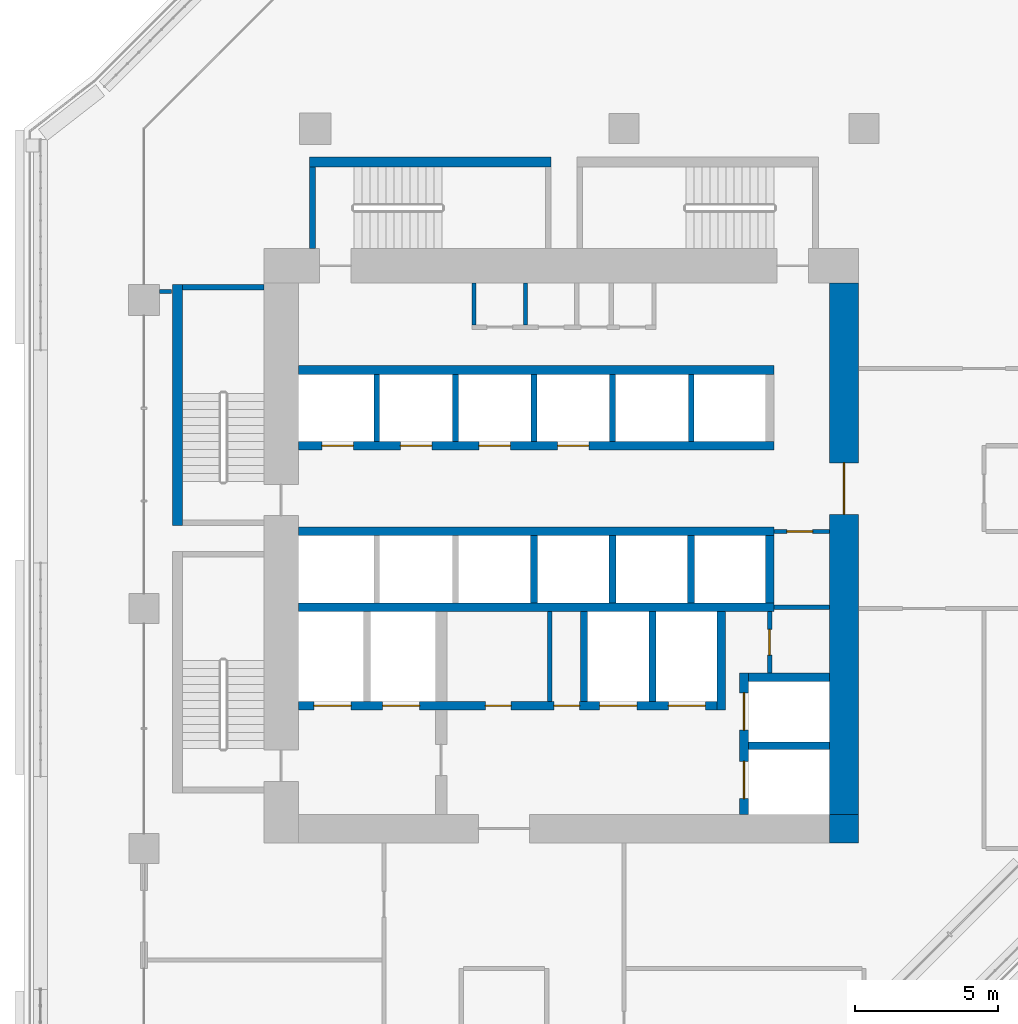
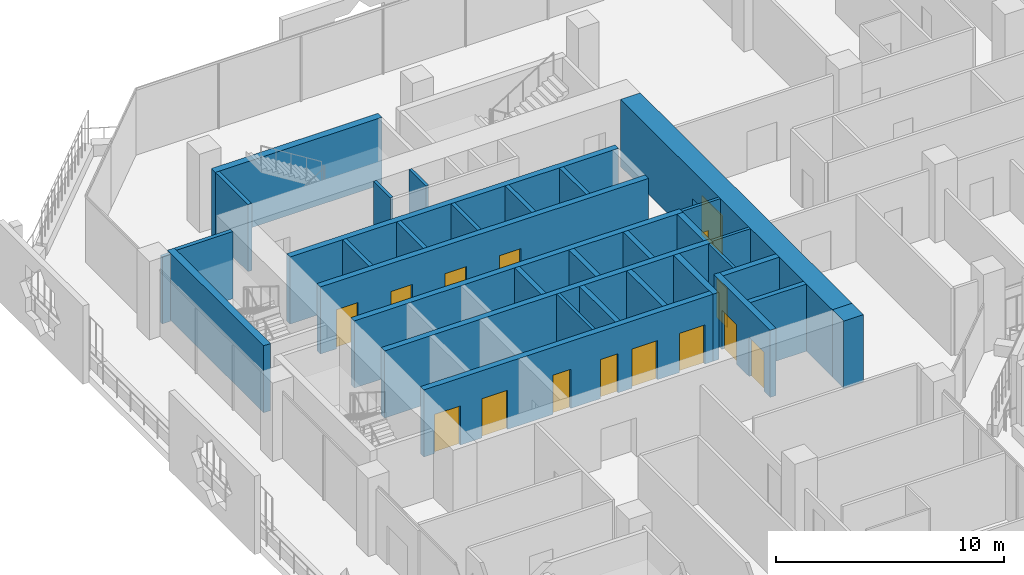
# One storey, part 15 of 27: 33 walls, 15 doors, 15 openings.
"""IFC4 building model written with IfcOpenShell, lengths in metres."""

from ifc_helpers import new_model, si_unit, direction, frame, frame_2d, origin, place, context, subcontext, project, spatial, rectangle, extrude, material, layer, layer_set, type_object, element, fill, save


model = new_model("IFC4")

# Units and contexts
model_context = context("Model", 3, precision=1e-05, world=origin(), true_north=direction((0.0, 1.0)))
body_context = subcontext(model_context, "Body", "Model", "MODEL_VIEW")
ifc_project = project(units=[si_unit("LENGTHUNIT", "METRE"), si_unit("AREAUNIT", "SQUARE_METRE"), si_unit("VOLUMEUNIT", "CUBIC_METRE"), si_unit("PLANEANGLEUNIT", "RADIAN"), si_unit("MASSUNIT", "GRAM", prefix="KILO")], contexts=[model_context])

# Site, building, storey
site_placement = place(None, origin())
site = spatial("IfcSite", under=ifc_project, at=site_placement, CompositionType="ELEMENT")
building_placement = place(site_placement, origin())
building = spatial("IfcBuilding", under=site, at=building_placement, Name="Kawkab Arch Medical Tower", CompositionType="ELEMENT")
storey_placement = place(building_placement, frame((0.0, 0.0, 115.60009765625)))
storey = spatial("IfcBuildingStorey", under=building, at=storey_placement, Name="L26", CompositionType="ELEMENT", Elevation=115.60009765625)

# Wall, opening, door
ifc_material_1 = material(Name="Concrete C60/75", Category="concrete")
ifc_layer_1 = layer(ifc_material_1, 1.0)
ifc_layer_set_1 = layer_set([ifc_layer_1], Name="Concrete C60/75")
wall_type_1 = type_object("IfcWallType", Name="Core ring wall 1000 C60/75", PredefinedType="SHEAR", material=ifc_layer_set_1)
wall_1_placement = place(storey_placement, frame((24.5, -24.0, 0.0), z_axis=(0.0, 0.0, 1.0), x_axis=(0.0, 1.0, 0.0)))
wall_1 = element("IfcWall", 1, at=wall_1_placement, inside=storey, type_object=wall_type_1, Name="L26 core wall", PredefinedType="SHEAR", context=body_context, shape_type="SweptSolid", body=[
    extrude(rectangle(XDim=18.60009765625, YDim=1.0, at=frame_2d((9.300048828125, 0.0))), origin(), (0.0, 0.0, 1.0), 3.599853515625),
])
opening_1_placement = place(wall_1_placement, frame((10.5, 0.0, 0.0)))
opening_1 = element("IfcOpeningElement", 2, at=opening_1_placement, cuts=wall_1, Name="Opening PD", PredefinedType="OPENING", context=body_context, shape_type="SweptSolid", body=[
    extrude(rectangle(XDim=1.800048828125, YDim=2.10009765625, at=frame_2d((0.89990234375, 1.050048828125))), frame((0.0, 0.510009765625, 0.0), z_axis=(0.0, -1.0, 0.0), x_axis=(1.0, 0.0, 0.0)), (0.0, 0.0, 1.0), 1.02001953125),
])
ifc_material_2 = material(Name="Hollow metal fire door leaf")
door_type_1 = type_object("IfcDoorType", Name="Core entrance doors 1800", OperationType="DOUBLE_DOOR_SINGLE_SWING", PredefinedType="DOOR", material=ifc_material_2)
door_1_placement = place(opening_1_placement, origin())
door_1 = element("IfcDoor", 3, at=door_1_placement, inside=storey, type_object=door_type_1, Name="L26 East entrance doors", OperationType="DOUBLE_DOOR_SINGLE_SWING", OverallHeight=2.10009765625, OverallWidth=1.800048828125, PredefinedType="DOOR", context=body_context, shape_type="SweptSolid", body=[
    extrude(rectangle(XDim=1.800048828125, YDim=2.10009765625, at=frame_2d((0.89990234375, 1.050048828125))), frame((0.0, 0.02490234375, 0.0), z_axis=(0.0, -1.0, 0.0), x_axis=(1.0, 0.0, 0.0)), (0.0, 0.0, 1.0), 0.050048828125),
])
fill(opening_1, door_1)

# Wall
wall_2_placement = place(storey_placement, frame((24.5, -25.0, 0.0), z_axis=(0.0, 0.0, 1.0), x_axis=(0.0, 1.0, 0.0)))
element("IfcWall", 4, at=wall_2_placement, inside=storey, type_object=wall_type_1, Name="L26 core wall", PredefinedType="SHEAR", context=body_context, shape_type="SweptSolid", body=[
    extrude(rectangle(XDim=1.0, YDim=1.0, at=frame_2d((0.5, 0.0))), origin(), (0.0, 0.0, 1.0), 3.599853515625),
])

# Wall, opening, door
ifc_material_3 = material(Name="Gypsum board on steel studs", Category="steel")
ifc_layer_2 = layer(ifc_material_3, 0.14990234375)
ifc_layer_set_2 = layer_set([ifc_layer_2], Name="Gypsum board on steel studs")
wall_type_2 = type_object("IfcWallType", Name="Core room partition 150", PredefinedType="PARTITIONING", material=ifc_layer_set_2)
wall_3_placement = place(storey_placement, frame((21.89990234375, -19.050048828125, 0.0), z_axis=(0.0, 0.0, 1.0), x_axis=(0.0, 1.0, 0.0)))
wall_3 = element("IfcWall", 5, at=wall_3_placement, inside=storey, type_object=wall_type_2, Name="L26 core room partition", PredefinedType="PARTITIONING", context=body_context, shape_type="SweptSolid", body=[
    extrude(rectangle(XDim=2.150146484375, YDim=0.14990234375, at=frame_2d((1.0751953125, 0.0))), origin(), (0.0, 0.0, 1.0), 3.599853515625),
])
opening_2_placement = place(wall_3_placement, frame((0.625, 0.0, 0.0)))
opening_2 = element("IfcOpeningElement", 6, at=opening_2_placement, cuts=wall_3, Name="Opening RD", PredefinedType="OPENING", context=body_context, shape_type="SweptSolid", body=[
    extrude(rectangle(XDim=0.89990234375, YDim=2.10009765625, at=frame_2d((0.449951171875, 1.050048828125))), frame((0.0, 0.0849609375, 0.0), z_axis=(0.0, -1.0, 0.0), x_axis=(1.0, 0.0, 0.0)), (0.0, 0.0, 1.0), 0.169921875),
])
ifc_material_4 = material(Name="Hollow metal fire door leaf")
door_type_2 = type_object("IfcDoorType", Name="Core room door 900", OperationType="SINGLE_SWING_LEFT", PredefinedType="DOOR", material=ifc_material_4)
door_2_placement = place(opening_2_placement, origin())
door_2 = element("IfcDoor", 7, at=door_2_placement, inside=storey, type_object=door_type_2, Name="L26 Staff WC door", OperationType="SINGLE_SWING_LEFT", OverallHeight=2.10009765625, OverallWidth=0.89990234375, PredefinedType="DOOR", context=body_context, shape_type="SweptSolid", body=[
    extrude(rectangle(XDim=0.89990234375, YDim=2.10009765625, at=frame_2d((0.449951171875, 1.050048828125))), frame((0.0, 0.02490234375, 0.0), z_axis=(0.0, -1.0, 0.0), x_axis=(1.0, 0.0, 0.0)), (0.0, 0.0, 1.0), 0.050048828125),
])
fill(opening_2, door_2)

# Wall
wall_4_placement = place(storey_placement, frame((22.050048828125, -16.75, 0.0), z_axis=(0.0, 0.0, 1.0), x_axis=(1.0, 0.0, 0.0)))
element("IfcWall", 8, at=wall_4_placement, inside=storey, type_object=wall_type_2, Name="L26 core room partition", PredefinedType="PARTITIONING", context=body_context, shape_type="SweptSolid", body=[
    extrude(rectangle(XDim=1.949951171875, YDim=0.14990234375, at=frame_2d((0.97509765625, 0.0))), origin(), (0.0, 0.0, 1.0), 3.599853515625),
])

# Wall, opening, door
wall_5_placement = place(storey_placement, frame((22.050048828125, -14.10009765625, 0.0), z_axis=(0.0, 0.0, 1.0), x_axis=(1.0, 0.0, 0.0)))
wall_5 = element("IfcWall", 9, at=wall_5_placement, inside=storey, type_object=wall_type_2, Name="L26 core room partition", PredefinedType="PARTITIONING", context=body_context, shape_type="SweptSolid", body=[
    extrude(rectangle(XDim=1.949951171875, YDim=0.14990234375, at=frame_2d((0.97509765625, 0.0))), origin(), (0.0, 0.0, 1.0), 3.599853515625),
])
opening_3_placement = place(wall_5_placement, frame((0.449951171875, 0.0, 0.0)))
opening_3 = element("IfcOpeningElement", 10, at=opening_3_placement, cuts=wall_5, Name="Opening RD", PredefinedType="OPENING", context=body_context, shape_type="SweptSolid", body=[
    extrude(rectangle(XDim=0.89990234375, YDim=2.10009765625, at=frame_2d((0.449951171875, 1.050048828125))), frame((0.0, 0.0849609375, 0.0), z_axis=(0.0, -1.0, 0.0), x_axis=(1.0, 0.0, 0.0)), (0.0, 0.0, 1.0), 0.169921875),
])
door_3_placement = place(opening_3_placement, origin())
door_3 = element("IfcDoor", 11, at=door_3_placement, inside=storey, type_object=door_type_2, Name="L26 UPS room door", OperationType="SINGLE_SWING_LEFT", OverallHeight=2.10009765625, OverallWidth=0.89990234375, PredefinedType="DOOR", context=body_context, shape_type="SweptSolid", body=[
    extrude(rectangle(XDim=0.89990234375, YDim=2.10009765625, at=frame_2d((0.449951171875, 1.050048828125))), frame((0.0, 0.02490234375, 0.0), z_axis=(0.0, -1.0, 0.0), x_axis=(1.0, 0.0, 0.0)), (0.0, 0.0, 1.0), 0.050048828125),
])
fill(opening_3, door_3)

# Walls
for number, where, z_axis, x_axis, name in (
    (12, (11.550048828125, -6.875, 0.0), (0.0, 0.0, 1.0), (0.0, 1.0, 0.0), "L26 core room partition"),
    (13, (13.35009765625, -6.875, 0.0), (0.0, 0.0, 1.0), (0.0, 1.0, 0.0), "L26 core room partition"),
):
    element("IfcWall", number, at=place(storey_placement, frame(where, z_axis=z_axis, x_axis=x_axis)), inside=storey, type_object=wall_type_2, Name=name, PredefinedType="PARTITIONING", context=body_context, shape_type="SweptSolid", body=[
        extrude(rectangle(XDim=1.47509765625, YDim=0.14990234375, at=frame_2d((0.737548828125, 0.0))), origin(), (0.0, 0.0, 1.0), 3.599853515625),
    ])
wall_6_placement = place(storey_placement, frame((14.199951171875, -20.050048828125, 0.0), z_axis=(0.0, 0.0, 1.0), x_axis=(0.0, 1.0, 0.0)))
element("IfcWall", 14, at=wall_6_placement, inside=storey, type_object=wall_type_2, Name="L26 core room partition", PredefinedType="PARTITIONING", context=body_context, shape_type="SweptSolid", body=[
    extrude(rectangle(XDim=3.150146484375, YDim=0.14990234375, at=frame_2d((1.5751953125, 0.0))), origin(), (0.0, 0.0, 1.0), 3.599853515625),
])
ifc_material_5 = material(Name="Concrete C60/75", Category="concrete")
ifc_layer_3 = layer(ifc_material_5, 0.25)
ifc_layer_set_3 = layer_set([ifc_layer_3], Name="Concrete C60/75")
wall_type_3 = type_object("IfcWallType", Name="Core shear wall 250 C60/75", PredefinedType="SHEAR", material=ifc_layer_set_3)
wall_7_placement = place(storey_placement, frame((21.14990234375, -21.60009765625, 0.0), z_axis=(0.0, 0.0, 1.0), x_axis=(1.0, 0.0, 0.0)))
element("IfcWall", 15, at=wall_7_placement, inside=storey, type_object=wall_type_3, Name="L26 core shear wall", PredefinedType="SHEAR", context=body_context, shape_type="SweptSolid", body=[
    extrude(rectangle(XDim=2.85009765625, YDim=0.25, at=frame_2d((1.425048828125, 0.0))), origin(), (0.0, 0.0, 1.0), 3.599853515625),
])
for number, where, z_axis, x_axis, name in (
    (16, (15.39990234375, -20.050048828125, 0.0), (0.0, 0.0, 1.0), (0.0, 1.0, 0.0), "L26 core shear wall"),
    (17, (17.800048828125, -20.050048828125, 0.0), (0.0, 0.0, 1.0), (0.0, 1.0, 0.0), "L26 core shear wall"),
):
    element("IfcWall", number, at=place(storey_placement, frame(where, z_axis=z_axis, x_axis=x_axis)), inside=storey, type_object=wall_type_3, Name=name, PredefinedType="SHEAR", context=body_context, shape_type="SweptSolid", body=[
        extrude(rectangle(XDim=3.150146484375, YDim=0.25, at=frame_2d((1.5751953125, 0.0))), origin(), (0.0, 0.0, 1.0), 3.599853515625),
    ])
for number, where, z_axis, x_axis, name in (
    (18, (13.64990234375, -16.60009765625, 0.0), (0.0, 0.0, 1.0), (0.0, 1.0, 0.0), "L26 core shear wall"),
    (19, (16.39990234375, -16.60009765625, 0.0), (0.0, 0.0, 1.0), (0.0, 1.0, 0.0), "L26 core shear wall"),
    (20, (19.14990234375, -16.60009765625, 0.0), (0.0, 0.0, 1.0), (0.0, 1.0, 0.0), "L26 core shear wall"),
):
    element("IfcWall", number, at=place(storey_placement, frame(where, z_axis=z_axis, x_axis=x_axis)), inside=storey, type_object=wall_type_3, Name=name, PredefinedType="SHEAR", context=body_context, shape_type="SweptSolid", body=[
        extrude(rectangle(XDim=2.35009765625, YDim=0.25, at=frame_2d((1.175048828125, 0.0))), origin(), (0.0, 0.0, 1.0), 3.599853515625),
    ])
ifc_material_6 = material(Name="Concrete C60/75", Category="concrete")
ifc_layer_4 = layer(ifc_material_6, 0.300048828125)
ifc_layer_set_4 = layer_set([ifc_layer_4], Name="Concrete C60/75")
wall_type_4 = type_object("IfcWallType", Name="Core shear wall 300 C60/75", PredefinedType="SHEAR", material=ifc_layer_set_4)
wall_8_placement = place(storey_placement, frame((5.39990234375, -8.449951171875, 0.0), z_axis=(0.0, 0.0, 1.0), x_axis=(1.0, 0.0, 0.0)))
element("IfcWall", 21, at=wall_8_placement, inside=storey, type_object=wall_type_4, Name="L26 core shear wall", PredefinedType="SHEAR", context=body_context, shape_type="SweptSolid", body=[
    extrude(rectangle(XDim=16.650146484375, YDim=0.300048828125, at=frame_2d((8.3251953125, 0.0))), origin(), (0.0, 0.0, 1.0), 3.599853515625),
])

# Wall, openings, doors
wall_9_placement = place(storey_placement, frame((5.39990234375, -11.10009765625, 0.0), z_axis=(0.0, 0.0, 1.0), x_axis=(1.0, 0.0, 0.0)))
wall_9 = element("IfcWall", 22, at=wall_9_placement, inside=storey, type_object=wall_type_4, Name="L26 core shear wall", PredefinedType="SHEAR", context=body_context, shape_type="SweptSolid", body=[
    extrude(rectangle(XDim=16.650146484375, YDim=0.300048828125, at=frame_2d((8.3251953125, 0.0))), origin(), (0.0, 0.0, 1.0), 3.599853515625),
])
opening_4_placement = place(wall_9_placement, frame((0.824951171875, 0.0, 0.0)))
opening_4 = element("IfcOpeningElement", 23, at=opening_4_placement, cuts=wall_9, Name="Opening LD1", PredefinedType="OPENING", context=body_context, shape_type="SweptSolid", body=[
    extrude(rectangle(XDim=1.10009765625, YDim=2.10009765625, at=frame_2d((0.550048828125, 1.050048828125))), frame((0.0, 0.159912109375, 0.0), z_axis=(0.0, -1.0, 0.0), x_axis=(1.0, 0.0, 0.0)), (0.0, 0.0, 1.0), 0.320068359375),
])
opening_5_placement = place(wall_9_placement, frame((3.574951171875, 0.0, 0.0)))
opening_5 = element("IfcOpeningElement", 24, at=opening_5_placement, cuts=wall_9, Name="Opening LD1", PredefinedType="OPENING", context=body_context, shape_type="SweptSolid", body=[
    extrude(rectangle(XDim=1.10009765625, YDim=2.10009765625, at=frame_2d((0.550048828125, 1.050048828125))), frame((0.0, 0.159912109375, 0.0), z_axis=(0.0, -1.0, 0.0), x_axis=(1.0, 0.0, 0.0)), (0.0, 0.0, 1.0), 0.320068359375),
])
opening_6_placement = place(wall_9_placement, frame((6.324951171875, 0.0, 0.0)))
opening_6 = element("IfcOpeningElement", 25, at=opening_6_placement, cuts=wall_9, Name="Opening LD1", PredefinedType="OPENING", context=body_context, shape_type="SweptSolid", body=[
    extrude(rectangle(XDim=1.10009765625, YDim=2.10009765625, at=frame_2d((0.550048828125, 1.050048828125))), frame((0.0, 0.159912109375, 0.0), z_axis=(0.0, -1.0, 0.0), x_axis=(1.0, 0.0, 0.0)), (0.0, 0.0, 1.0), 0.320068359375),
])
opening_7_placement = place(wall_9_placement, frame((9.074951171875, 0.0, 0.0)))
opening_7 = element("IfcOpeningElement", 26, at=opening_7_placement, cuts=wall_9, Name="Opening LD1", PredefinedType="OPENING", context=body_context, shape_type="SweptSolid", body=[
    extrude(rectangle(XDim=1.10009765625, YDim=2.10009765625, at=frame_2d((0.550048828125, 1.050048828125))), frame((0.0, 0.159912109375, 0.0), z_axis=(0.0, -1.0, 0.0), x_axis=(1.0, 0.0, 0.0)), (0.0, 0.0, 1.0), 0.320068359375),
])
ifc_material_7 = material(Name="Stainless steel lift door leaf", Category="steel")
door_type_3 = type_object("IfcDoorType", Name="Lift landing door 1100", OperationType="DOUBLE_DOOR_SLIDING", PredefinedType="DOOR", material=ifc_material_7)
door_4_placement = place(opening_4_placement, origin())
door_4 = element("IfcDoor", 27, at=door_4_placement, inside=storey, type_object=door_type_3, Name="L26 Lift landing door LP1", OperationType="DOUBLE_DOOR_SLIDING", OverallHeight=2.10009765625, OverallWidth=1.10009765625, PredefinedType="DOOR", context=body_context, shape_type="SweptSolid", body=[
    extrude(rectangle(XDim=1.10009765625, YDim=2.10009765625, at=frame_2d((0.550048828125, 1.050048828125))), frame((0.0, 0.02490234375, 0.0), z_axis=(0.0, -1.0, 0.0), x_axis=(1.0, 0.0, 0.0)), (0.0, 0.0, 1.0), 0.050048828125),
])
fill(opening_4, door_4)
door_5_placement = place(opening_5_placement, origin())
door_5 = element("IfcDoor", 28, at=door_5_placement, inside=storey, type_object=door_type_3, Name="L26 Lift landing door LP2", OperationType="DOUBLE_DOOR_SLIDING", OverallHeight=2.10009765625, OverallWidth=1.10009765625, PredefinedType="DOOR", context=body_context, shape_type="SweptSolid", body=[
    extrude(rectangle(XDim=1.10009765625, YDim=2.10009765625, at=frame_2d((0.550048828125, 1.050048828125))), frame((0.0, 0.02490234375, 0.0), z_axis=(0.0, -1.0, 0.0), x_axis=(1.0, 0.0, 0.0)), (0.0, 0.0, 1.0), 0.050048828125),
])
fill(opening_5, door_5)
door_6_placement = place(opening_6_placement, origin())
door_6 = element("IfcDoor", 29, at=door_6_placement, inside=storey, type_object=door_type_3, Name="L26 Lift landing door LP3", OperationType="DOUBLE_DOOR_SLIDING", OverallHeight=2.10009765625, OverallWidth=1.10009765625, PredefinedType="DOOR", context=body_context, shape_type="SweptSolid", body=[
    extrude(rectangle(XDim=1.10009765625, YDim=2.10009765625, at=frame_2d((0.550048828125, 1.050048828125))), frame((0.0, 0.02490234375, 0.0), z_axis=(0.0, -1.0, 0.0), x_axis=(1.0, 0.0, 0.0)), (0.0, 0.0, 1.0), 0.050048828125),
])
fill(opening_6, door_6)
door_7_placement = place(opening_7_placement, origin())
door_7 = element("IfcDoor", 30, at=door_7_placement, inside=storey, type_object=door_type_3, Name="L26 Lift landing door LP4", OperationType="DOUBLE_DOOR_SLIDING", OverallHeight=2.10009765625, OverallWidth=1.10009765625, PredefinedType="DOOR", context=body_context, shape_type="SweptSolid", body=[
    extrude(rectangle(XDim=1.10009765625, YDim=2.10009765625, at=frame_2d((0.550048828125, 1.050048828125))), frame((0.0, 0.02490234375, 0.0), z_axis=(0.0, -1.0, 0.0), x_axis=(1.0, 0.0, 0.0)), (0.0, 0.0, 1.0), 0.050048828125),
])
fill(opening_7, door_7)

# Walls
for number, where, z_axis, x_axis, name in (
    (31, (5.39990234375, -14.10009765625, 0.0), (0.0, 0.0, 1.0), (1.0, 0.0, 0.0), "L26 core shear wall"),
    (32, (5.39990234375, -16.75, 0.0), (0.0, 0.0, 1.0), (1.0, 0.0, 0.0), "L26 core shear wall"),
):
    element("IfcWall", number, at=place(storey_placement, frame(where, z_axis=z_axis, x_axis=x_axis)), inside=storey, type_object=wall_type_4, Name=name, PredefinedType="SHEAR", context=body_context, shape_type="SweptSolid", body=[
        extrude(rectangle(XDim=16.650146484375, YDim=0.300048828125, at=frame_2d((8.3251953125, 0.0))), origin(), (0.0, 0.0, 1.0), 3.599853515625),
    ])

# Wall, openings, doors
wall_10_placement = place(storey_placement, frame((5.39990234375, -20.199951171875, 0.0), z_axis=(0.0, 0.0, 1.0), x_axis=(1.0, 0.0, 0.0)))
wall_10 = element("IfcWall", 33, at=wall_10_placement, inside=storey, type_object=wall_type_4, Name="L26 core shear wall", PredefinedType="SHEAR", context=body_context, shape_type="SweptSolid", body=[
    extrude(rectangle(XDim=14.650146484375, YDim=0.300048828125, at=frame_2d((7.3251953125, 0.0))), origin(), (0.0, 0.0, 1.0), 3.599853515625),
])
opening_8_placement = place(wall_10_placement, frame((10.550048828125, 0.0, 0.0)))
opening_8 = element("IfcOpeningElement", 34, at=opening_8_placement, cuts=wall_10, Name="Opening LD2", PredefinedType="OPENING", context=body_context, shape_type="SweptSolid", body=[
    extrude(rectangle(XDim=1.300048828125, YDim=2.10009765625, at=frame_2d((0.64990234375, 1.050048828125))), frame((0.0, 0.159912109375, 0.0), z_axis=(0.0, -1.0, 0.0), x_axis=(1.0, 0.0, 0.0)), (0.0, 0.0, 1.0), 0.320068359375),
])
opening_9_placement = place(wall_10_placement, frame((12.949951171875, 0.0, 0.0)))
opening_9 = element("IfcOpeningElement", 35, at=opening_9_placement, cuts=wall_10, Name="Opening LD2", PredefinedType="OPENING", context=body_context, shape_type="SweptSolid", body=[
    extrude(rectangle(XDim=1.300048828125, YDim=2.10009765625, at=frame_2d((0.64990234375, 1.050048828125))), frame((0.0, 0.159912109375, 0.0), z_axis=(0.0, -1.0, 0.0), x_axis=(1.0, 0.0, 0.0)), (0.0, 0.0, 1.0), 0.320068359375),
])
opening_10_placement = place(wall_10_placement, frame((0.550048828125, 0.0, 0.0)))
opening_10 = element("IfcOpeningElement", 36, at=opening_10_placement, cuts=wall_10, Name="Opening LD2", PredefinedType="OPENING", context=body_context, shape_type="SweptSolid", body=[
    extrude(rectangle(XDim=1.300048828125, YDim=2.10009765625, at=frame_2d((0.64990234375, 1.050048828125))), frame((0.0, 0.159912109375, 0.0), z_axis=(0.0, -1.0, 0.0), x_axis=(1.0, 0.0, 0.0)), (0.0, 0.0, 1.0), 0.320068359375),
])
opening_11_placement = place(wall_10_placement, frame((2.949951171875, 0.0, 0.0)))
opening_11 = element("IfcOpeningElement", 37, at=opening_11_placement, cuts=wall_10, Name="Opening LD2", PredefinedType="OPENING", context=body_context, shape_type="SweptSolid", body=[
    extrude(rectangle(XDim=1.300048828125, YDim=2.10009765625, at=frame_2d((0.64990234375, 1.050048828125))), frame((0.0, 0.159912109375, 0.0), z_axis=(0.0, -1.0, 0.0), x_axis=(1.0, 0.0, 0.0)), (0.0, 0.0, 1.0), 0.320068359375),
])
opening_12_placement = place(wall_10_placement, frame((6.550048828125, 0.0, 0.0)))
opening_12 = element("IfcOpeningElement", 38, at=opening_12_placement, cuts=wall_10, Name="Opening RD", PredefinedType="OPENING", context=body_context, shape_type="SweptSolid", body=[
    extrude(rectangle(XDim=0.89990234375, YDim=2.10009765625, at=frame_2d((0.449951171875, 1.050048828125))), frame((0.0, 0.159912109375, 0.0), z_axis=(0.0, -1.0, 0.0), x_axis=(1.0, 0.0, 0.0)), (0.0, 0.0, 1.0), 0.320068359375),
])
opening_13_placement = place(wall_10_placement, frame((8.949951171875, 0.0, 0.0)))
opening_13 = element("IfcOpeningElement", 39, at=opening_13_placement, cuts=wall_10, Name="Opening RD", PredefinedType="OPENING", context=body_context, shape_type="SweptSolid", body=[
    extrude(rectangle(XDim=0.89990234375, YDim=2.10009765625, at=frame_2d((0.449951171875, 1.050048828125))), frame((0.0, 0.159912109375, 0.0), z_axis=(0.0, -1.0, 0.0), x_axis=(1.0, 0.0, 0.0)), (0.0, 0.0, 1.0), 0.320068359375),
])
door_8_placement = place(opening_12_placement, origin())
door_8 = element("IfcDoor", 40, at=door_8_placement, inside=storey, type_object=door_type_2, Name="L26 Medication store door", OperationType="SINGLE_SWING_LEFT", OverallHeight=2.10009765625, OverallWidth=0.89990234375, PredefinedType="DOOR", context=body_context, shape_type="SweptSolid", body=[
    extrude(rectangle(XDim=0.89990234375, YDim=2.10009765625, at=frame_2d((0.449951171875, 1.050048828125))), frame((0.0, 0.02490234375, 0.0), z_axis=(0.0, -1.0, 0.0), x_axis=(1.0, 0.0, 0.0)), (0.0, 0.0, 1.0), 0.050048828125),
])
fill(opening_12, door_8)
door_9_placement = place(opening_13_placement, origin())
door_9 = element("IfcDoor", 41, at=door_9_placement, inside=storey, type_object=door_type_2, Name="L26 Clean utility room door", OperationType="SINGLE_SWING_LEFT", OverallHeight=2.10009765625, OverallWidth=0.89990234375, PredefinedType="DOOR", context=body_context, shape_type="SweptSolid", body=[
    extrude(rectangle(XDim=0.89990234375, YDim=2.10009765625, at=frame_2d((0.449951171875, 1.050048828125))), frame((0.0, 0.02490234375, 0.0), z_axis=(0.0, -1.0, 0.0), x_axis=(1.0, 0.0, 0.0)), (0.0, 0.0, 1.0), 0.050048828125),
])
fill(opening_13, door_9)
ifc_material_8 = material(Name="Stainless steel lift door leaf", Category="steel")
door_type_4 = type_object("IfcDoorType", Name="Lift landing door 1300", OperationType="DOUBLE_DOOR_SLIDING", PredefinedType="DOOR", material=ifc_material_8)
door_10_placement = place(opening_8_placement, origin())
door_10 = element("IfcDoor", 42, at=door_10_placement, inside=storey, type_object=door_type_4, Name="L26 Lift landing door BD3", OperationType="DOUBLE_DOOR_SLIDING", OverallHeight=2.10009765625, OverallWidth=1.300048828125, PredefinedType="DOOR", context=body_context, shape_type="SweptSolid", body=[
    extrude(rectangle(XDim=1.300048828125, YDim=2.10009765625, at=frame_2d((0.64990234375, 1.050048828125))), frame((0.0, 0.02490234375, 0.0), z_axis=(0.0, -1.0, 0.0), x_axis=(1.0, 0.0, 0.0)), (0.0, 0.0, 1.0), 0.050048828125),
])
fill(opening_8, door_10)
door_11_placement = place(opening_9_placement, origin())
door_11 = element("IfcDoor", 43, at=door_11_placement, inside=storey, type_object=door_type_4, Name="L26 Lift landing door BD4", OperationType="DOUBLE_DOOR_SLIDING", OverallHeight=2.10009765625, OverallWidth=1.300048828125, PredefinedType="DOOR", context=body_context, shape_type="SweptSolid", body=[
    extrude(rectangle(XDim=1.300048828125, YDim=2.10009765625, at=frame_2d((0.64990234375, 1.050048828125))), frame((0.0, 0.02490234375, 0.0), z_axis=(0.0, -1.0, 0.0), x_axis=(1.0, 0.0, 0.0)), (0.0, 0.0, 1.0), 0.050048828125),
])
fill(opening_9, door_11)
door_12_placement = place(opening_10_placement, origin())
door_12 = element("IfcDoor", 44, at=door_12_placement, inside=storey, type_object=door_type_4, Name="L26 Lift landing door FL1", OperationType="DOUBLE_DOOR_SLIDING", OverallHeight=2.10009765625, OverallWidth=1.300048828125, PredefinedType="DOOR", context=body_context, shape_type="SweptSolid", body=[
    extrude(rectangle(XDim=1.300048828125, YDim=2.10009765625, at=frame_2d((0.64990234375, 1.050048828125))), frame((0.0, 0.02490234375, 0.0), z_axis=(0.0, -1.0, 0.0), x_axis=(1.0, 0.0, 0.0)), (0.0, 0.0, 1.0), 0.050048828125),
])
fill(opening_10, door_12)
door_13_placement = place(opening_11_placement, origin())
door_13 = element("IfcDoor", 45, at=door_13_placement, inside=storey, type_object=door_type_4, Name="L26 Lift landing door FL2", OperationType="DOUBLE_DOOR_SLIDING", OverallHeight=2.10009765625, OverallWidth=1.300048828125, PredefinedType="DOOR", context=body_context, shape_type="SweptSolid", body=[
    extrude(rectangle(XDim=1.300048828125, YDim=2.10009765625, at=frame_2d((0.64990234375, 1.050048828125))), frame((0.0, 0.02490234375, 0.0), z_axis=(0.0, -1.0, 0.0), x_axis=(1.0, 0.0, 0.0)), (0.0, 0.0, 1.0), 0.050048828125),
])
fill(opening_11, door_13)

# Walls
wall_11_placement = place(storey_placement, frame((20.199951171875, -20.35009765625, 0.0), z_axis=(0.0, 0.0, 1.0), x_axis=(0.0, 1.0, 0.0)))
element("IfcWall", 46, at=wall_11_placement, inside=storey, type_object=wall_type_4, Name="L26 core shear wall", PredefinedType="SHEAR", context=body_context, shape_type="SweptSolid", body=[
    extrude(rectangle(XDim=3.4501953125, YDim=0.300048828125, at=frame_2d((1.72509765625, 0.0))), origin(), (0.0, 0.0, 1.0), 3.599853515625),
])
wall_12_placement = place(storey_placement, frame((21.89990234375, -16.60009765625, 0.0), z_axis=(0.0, 0.0, 1.0), x_axis=(0.0, 1.0, 0.0)))
element("IfcWall", 47, at=wall_12_placement, inside=storey, type_object=wall_type_4, Name="L26 core shear wall", PredefinedType="SHEAR", context=body_context, shape_type="SweptSolid", body=[
    extrude(rectangle(XDim=2.35009765625, YDim=0.300048828125, at=frame_2d((1.175048828125, 0.0))), origin(), (0.0, 0.0, 1.0), 3.599853515625),
])
wall_13_placement = place(storey_placement, frame((21.14990234375, -19.199951171875, 0.0), z_axis=(0.0, 0.0, 1.0), x_axis=(1.0, 0.0, 0.0)))
element("IfcWall", 48, at=wall_13_placement, inside=storey, type_object=wall_type_4, Name="L26 core shear wall", PredefinedType="SHEAR", context=body_context, shape_type="SweptSolid", body=[
    extrude(rectangle(XDim=2.85009765625, YDim=0.300048828125, at=frame_2d((1.425048828125, 0.0))), origin(), (0.0, 0.0, 1.0), 3.599853515625),
])

# Wall, openings, doors
wall_14_placement = place(storey_placement, frame((21.0, -24.0, 0.0), z_axis=(0.0, 0.0, 1.0), x_axis=(0.0, 1.0, 0.0)))
wall_14 = element("IfcWall", 49, at=wall_14_placement, inside=storey, type_object=wall_type_4, Name="L26 core shear wall", PredefinedType="SHEAR", context=body_context, shape_type="SweptSolid", body=[
    extrude(rectangle(XDim=4.949951171875, YDim=0.300048828125, at=frame_2d((2.47509765625, 0.0))), origin(), (0.0, 0.0, 1.0), 3.599853515625),
])
opening_14_placement = place(wall_14_placement, frame((2.949951171875, 0.0, 0.0)))
opening_14 = element("IfcOpeningElement", 50, at=opening_14_placement, cuts=wall_14, Name="Opening LD2", PredefinedType="OPENING", context=body_context, shape_type="SweptSolid", body=[
    extrude(rectangle(XDim=1.300048828125, YDim=2.10009765625, at=frame_2d((0.64990234375, 1.050048828125))), frame((0.0, 0.159912109375, 0.0), z_axis=(0.0, -1.0, 0.0), x_axis=(1.0, 0.0, 0.0)), (0.0, 0.0, 1.0), 0.320068359375),
])
opening_15_placement = place(wall_14_placement, frame((0.550048828125, 0.0, 0.0)))
opening_15 = element("IfcOpeningElement", 51, at=opening_15_placement, cuts=wall_14, Name="Opening LD2", PredefinedType="OPENING", context=body_context, shape_type="SweptSolid", body=[
    extrude(rectangle(XDim=1.300048828125, YDim=2.10009765625, at=frame_2d((0.64990234375, 1.050048828125))), frame((0.0, 0.159912109375, 0.0), z_axis=(0.0, -1.0, 0.0), x_axis=(1.0, 0.0, 0.0)), (0.0, 0.0, 1.0), 0.320068359375),
])
door_14_placement = place(opening_14_placement, origin())
door_14 = element("IfcDoor", 52, at=door_14_placement, inside=storey, type_object=door_type_4, Name="L26 Lift landing door BD1", OperationType="DOUBLE_DOOR_SLIDING", OverallHeight=2.10009765625, OverallWidth=1.300048828125, PredefinedType="DOOR", context=body_context, shape_type="SweptSolid", body=[
    extrude(rectangle(XDim=1.300048828125, YDim=2.10009765625, at=frame_2d((0.64990234375, 1.050048828125))), frame((0.0, 0.02490234375, 0.0), z_axis=(0.0, -1.0, 0.0), x_axis=(1.0, 0.0, 0.0)), (0.0, 0.0, 1.0), 0.050048828125),
])
fill(opening_14, door_14)
door_15_placement = place(opening_15_placement, origin())
door_15 = element("IfcDoor", 53, at=door_15_placement, inside=storey, type_object=door_type_4, Name="L26 Lift landing door BD2", OperationType="DOUBLE_DOOR_SLIDING", OverallHeight=2.10009765625, OverallWidth=1.300048828125, PredefinedType="DOOR", context=body_context, shape_type="SweptSolid", body=[
    extrude(rectangle(XDim=1.300048828125, YDim=2.10009765625, at=frame_2d((0.64990234375, 1.050048828125))), frame((0.0, 0.02490234375, 0.0), z_axis=(0.0, -1.0, 0.0), x_axis=(1.0, 0.0, 0.0)), (0.0, 0.0, 1.0), 0.050048828125),
])
fill(opening_15, door_15)

# Walls
ifc_material_9 = material(Name="Dense concrete blockwork", Category="masonry")
ifc_layer_5 = layer(ifc_material_9, 0.199951171875)
ifc_layer_set_5 = layer_set([ifc_layer_5], Name="Dense concrete blockwork")
wall_type_5 = type_object("IfcWallType", Name="Lift shaft partition 200", PredefinedType="PARTITIONING", material=ifc_layer_set_5)
for number, where, z_axis, x_axis, name in (
    (54, (8.14990234375, -10.949951171875, 0.0), (0.0, 0.0, 1.0), (0.0, 1.0, 0.0), "L26 lift shaft partition"),
    (55, (10.89990234375, -10.949951171875, 0.0), (0.0, 0.0, 1.0), (0.0, 1.0, 0.0), "L26 lift shaft partition"),
    (56, (13.64990234375, -10.949951171875, 0.0), (0.0, 0.0, 1.0), (0.0, 1.0, 0.0), "L26 lift shaft partition"),
    (57, (16.39990234375, -10.949951171875, 0.0), (0.0, 0.0, 1.0), (0.0, 1.0, 0.0), "L26 lift shaft partition"),
    (58, (19.14990234375, -10.949951171875, 0.0), (0.0, 0.0, 1.0), (0.0, 1.0, 0.0), "L26 lift shaft partition"),
):
    element("IfcWall", number, at=place(storey_placement, frame(where, z_axis=z_axis, x_axis=x_axis)), inside=storey, type_object=wall_type_5, Name=name, PredefinedType="PARTITIONING", context=body_context, shape_type="SweptSolid", body=[
        extrude(rectangle(XDim=2.349853515625, YDim=0.199951171875, at=frame_2d((1.1748046875, 0.0))), origin(), (0.0, 0.0, 1.0), 3.599853515625),
    ])
ifc_material_10 = material(Name="Gypsum board partition on steel studs, mineral wool", Category="steel")
ifc_layer_6 = layer(ifc_material_10, 0.14990234375)
ifc_layer_set_6 = layer_set([ifc_layer_6], Name="Gypsum board partition on steel studs, mineral wool")
wall_type_6 = type_object("IfcWallType", Name="Partition 150", PredefinedType="PARTITIONING", material=ifc_layer_set_6)
wall_15_placement = place(storey_placement, frame((0.550048828125, -5.699951171875, 0.0), z_axis=(0.0, 0.0, 1.0), x_axis=(1.0, 0.0, 0.0)))
element("IfcWall", 59, at=wall_15_placement, inside=storey, type_object=wall_type_6, Name="Partition 150 w051", PredefinedType="PARTITIONING", context=body_context, shape_type="SweptSolid", body=[
    extrude(rectangle(XDim=0.419921875, YDim=0.14990234375, at=frame_2d((0.2099609375, 0.0))), origin(), (0.0, 0.0, 1.0), 3.599853515625),
])
ifc_material_11 = material(Name="Concrete C50/60", Category="concrete")
ifc_layer_7 = layer(ifc_material_11, 0.199951171875)
ifc_layer_set_7 = layer_set([ifc_layer_7], Name="Concrete C50/60")
wall_type_7 = type_object("IfcWallType", Name="Stair enclosure wall 200 C50/60", PredefinedType="SHEAR", material=ifc_layer_set_7)
for number, where, z_axis, x_axis, name in (
    (60, (1.35009765625, -5.550048828125, 0.0), (0.0, 0.0, 1.0), (1.0, 0.0, 0.0), "L26 stair enclosure wall"),
    (61, (5.89990234375, -4.199951171875, 0.0), (0.0, 0.0, 1.0), (0.0, 1.0, 0.0), "L26 stair enclosure wall"),
):
    element("IfcWall", number, at=place(storey_placement, frame(where, z_axis=z_axis, x_axis=x_axis)), inside=storey, type_object=wall_type_7, Name=name, PredefinedType="SHEAR", context=body_context, shape_type="SweptSolid", body=[
        extrude(rectangle(XDim=2.849853515625, YDim=0.199951171875, at=frame_2d((1.4248046875, 0.0))), origin(), (0.0, 0.0, 1.0), 3.599853515625),
    ])
ifc_material_12 = material(Name="Concrete C50/60", Category="concrete")
ifc_layer_8 = layer(ifc_material_12, 0.35009765625)
ifc_layer_set_8 = layer_set([ifc_layer_8], Name="Concrete C50/60")
wall_type_8 = type_object("IfcWallType", Name="Stair enclosure wall 350 C50/60", PredefinedType="SHEAR", material=ifc_layer_set_8)
for number, where, z_axis, x_axis, name in (
    (62, (1.175048828125, -13.89990234375, 0.0), (0.0, 0.0, 1.0), (0.0, 1.0, 0.0), "L26 stair enclosure wall"),
    (63, (5.800048828125, -1.175048828125, 0.0), (0.0, 0.0, 1.0), (1.0, 0.0, 0.0), "L26 stair enclosure wall"),
):
    element("IfcWall", number, at=place(storey_placement, frame(where, z_axis=z_axis, x_axis=x_axis)), inside=storey, type_object=wall_type_8, Name=name, PredefinedType="SHEAR", context=body_context, shape_type="SweptSolid", body=[
        extrude(rectangle(XDim=8.449951171875, YDim=0.35009765625, at=frame_2d((4.22509765625, 0.0))), origin(), (0.0, 0.0, 1.0), 3.599853515625),
    ])

save(model, "model.ifc")
